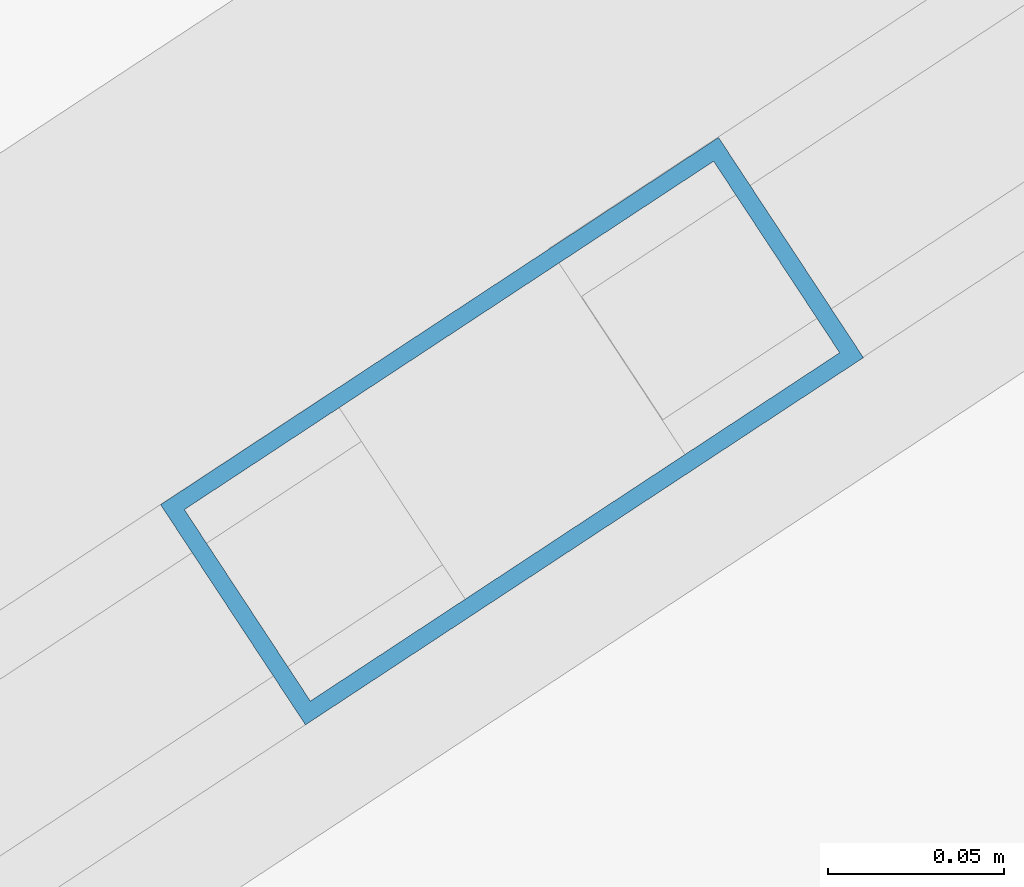
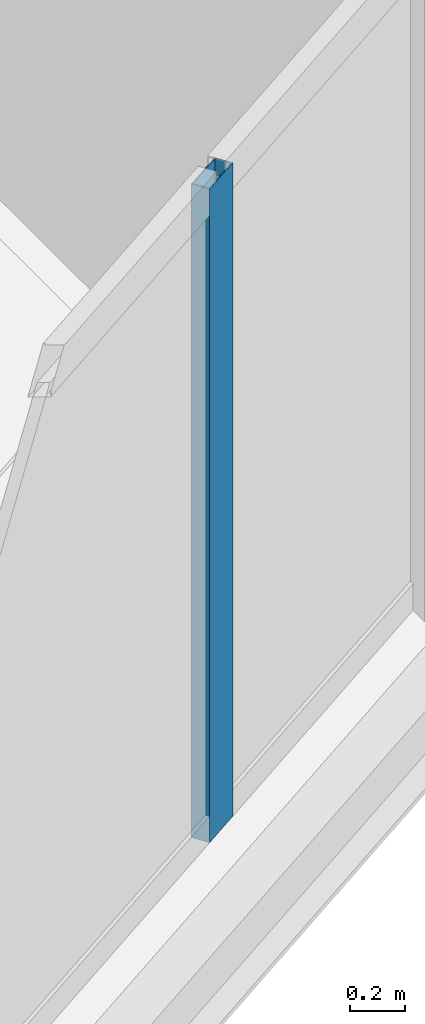
# One storey, part 6 of 29: 1 member, 1 element without a shape of its own.
"""IFC4 building model written with IfcOpenShell, lengths in metres."""

from ifc_helpers import new_model, si_unit, direction, frame, origin, origin_2d, place, context, subcontext, project, spatial, hollow_rectangle, extrude, material, material_profile, profile_set, type_object, element, aggregate, save


model = new_model("IFC4")

# Units and contexts
model_context = context("Model", 3, precision=1e-05, world=origin(), true_north=direction((0.0, 1.0)))
body_context = subcontext(model_context, "Body", "Model", "MODEL_VIEW")
ifc_project = project(units=[si_unit("LENGTHUNIT", "METRE"), si_unit("AREAUNIT", "SQUARE_METRE"), si_unit("VOLUMEUNIT", "CUBIC_METRE"), si_unit("PLANEANGLEUNIT", "RADIAN"), si_unit("MASSUNIT", "GRAM", prefix="KILO")], contexts=[model_context])

# Site, building, storey
site_placement = place(None, origin())
site = spatial("IfcSite", under=ifc_project, at=site_placement, CompositionType="ELEMENT")
building_placement = place(site_placement, origin())
building = spatial("IfcBuilding", under=site, at=building_placement, Name="Haldenkirk Collegiate Tower", CompositionType="ELEMENT")
storey_placement = place(building_placement, frame((0.0, 0.0, 140.699951171875)))
storey = spatial("IfcBuildingStorey", under=building, at=storey_placement, Name="L34", CompositionType="ELEMENT", Elevation=140.699951171875)

# Curtain wall, member
ifc_material = material(Name="Anodised architectural bronze aluminium", Category="aluminium")
curtain_wall_type = type_object("IfcCurtainWallType", Name="CW-SYS2-CONCAVE", PredefinedType="USERDEFINED", material=ifc_material)
curtain_wall_placement = place(storey_placement, origin())
curtain_wall = element("IfcCurtainWall", 1, at=curtain_wall_placement, inside=storey, type_object=curtain_wall_type, Name="L34 South concave recessed bronze-anodised curtain wall", ObjectType="UNITISED CURTAIN WALL", PredefinedType="USERDEFINED")
ifc_material_profile = material_profile(ifc_material, hollow_rectangle(XDim=0.074951171875, YDim=0.18994140625, WallThickness=0.0048828125, at=origin_2d()), Name="CW-MUL-02")
ifc_profile_set = profile_set([ifc_material_profile], Name="Anodised architectural bronze aluminium")
member_type = type_object("IfcMemberType", Name="CW-MUL-02", PredefinedType="MULLION", material=ifc_profile_set)
member_placement = place(storey_placement, frame((40.616455078125, 0.5224609375, 0.0), z_axis=(0.0, 0.0, 1.0), x_axis=(0.549751618322, -0.835328173925, 0.0)))
member = element("IfcMember", 2, at=member_placement, type_object=member_type, Name="CW-02 mullion 4", PredefinedType="MULLION", context=body_context, shape_type="SweptSolid", body=[
    extrude(hollow_rectangle(XDim=0.074951171875, YDim=0.18994140625, WallThickness=0.0048828125, at=origin_2d()), origin(), (0.0, 0.0, 1.0), 2.9111328125),
])
aggregate(curtain_wall, [member])

save(model, "model.ifc")
